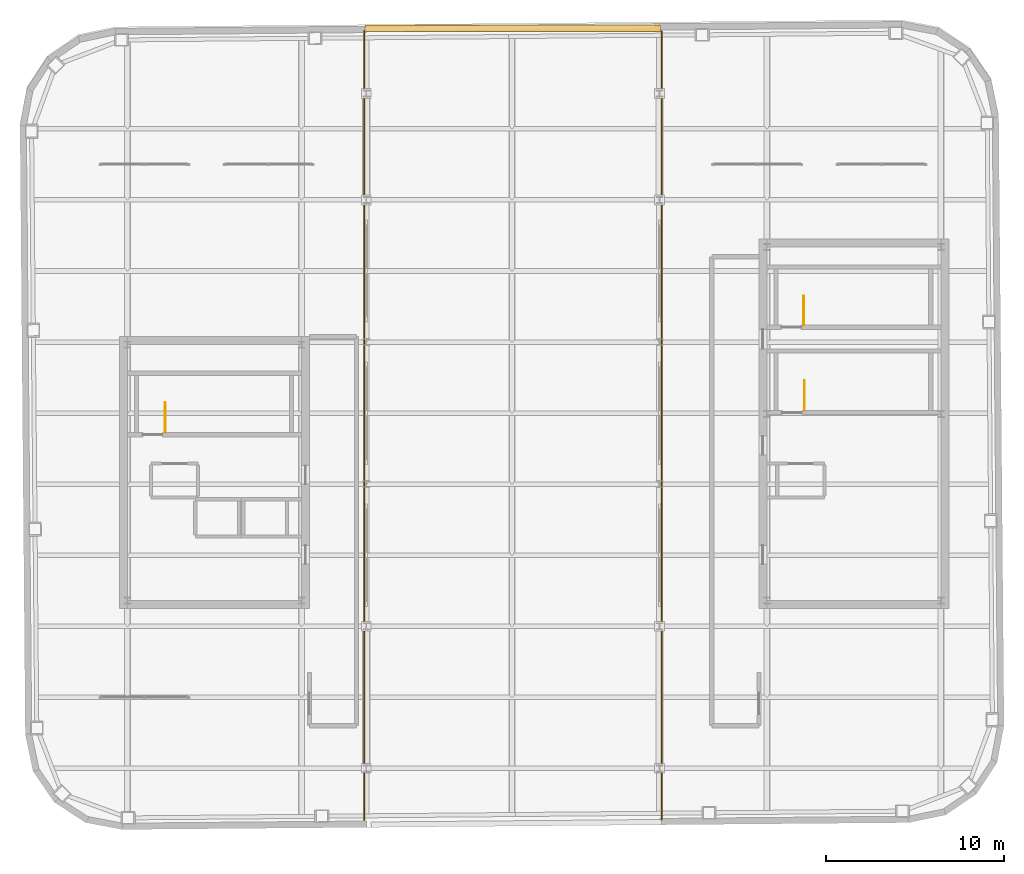
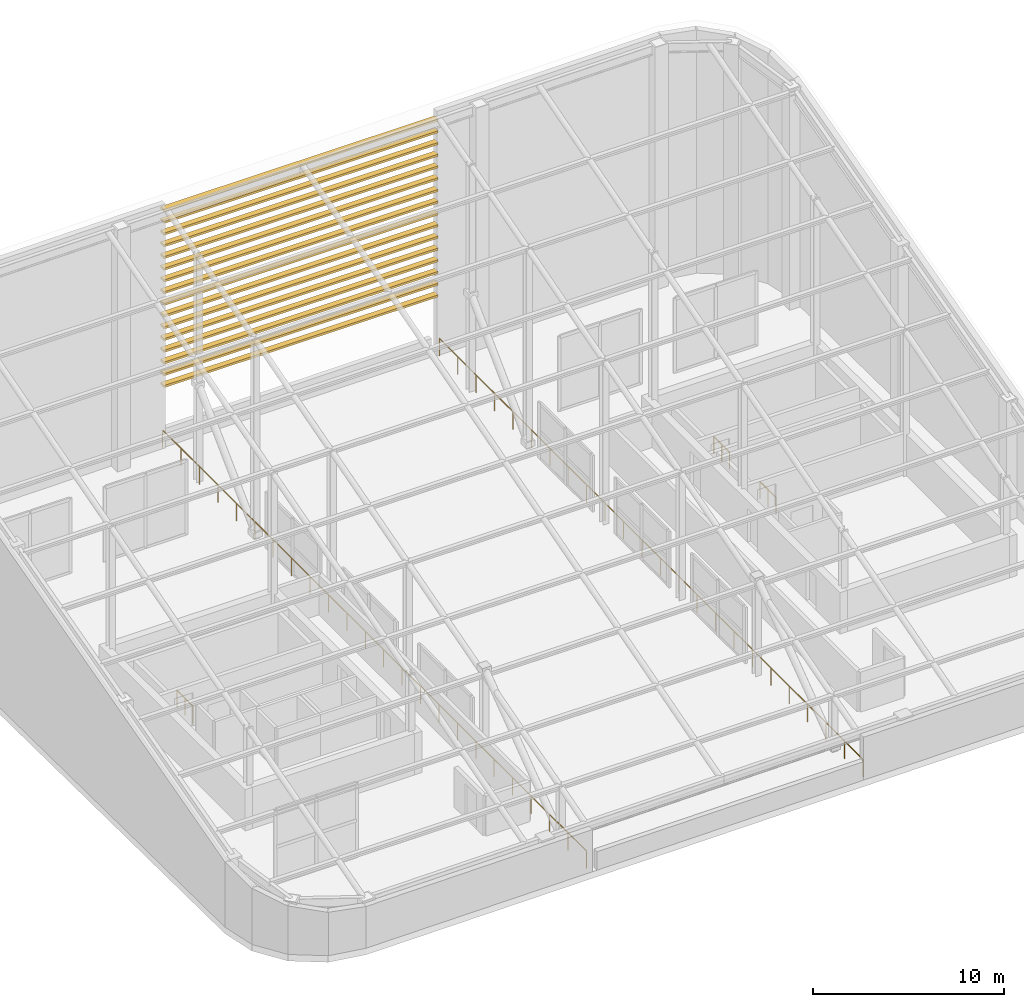
# One storey, part 17 of 17: 16 shading devices, 5 railings.
"""IFC4 building model written with IfcOpenShell, lengths in metres."""

from ifc_helpers import new_model, si_unit, direction, frame, origin, origin_2d, place, context, subcontext, project, spatial, rectangle, circle, extrude, material, type_object, element, save


model = new_model("IFC4")

# Units and contexts
model_context = context("Model", 3, precision=1e-05, world=origin(), true_north=direction((0.0, 1.0)))
body_context = subcontext(model_context, "Body", "Model", "MODEL_VIEW")
ifc_project = project(units=[si_unit("LENGTHUNIT", "METRE"), si_unit("AREAUNIT", "SQUARE_METRE"), si_unit("VOLUMEUNIT", "CUBIC_METRE"), si_unit("PLANEANGLEUNIT", "RADIAN"), si_unit("MASSUNIT", "GRAM", prefix="KILO")], contexts=[model_context])

# Site, building, storey
site_placement = place(None, origin())
site = spatial("IfcSite", under=ifc_project, at=site_placement, CompositionType="ELEMENT")
building_placement = place(site_placement, origin())
building = spatial("IfcBuilding", under=site, at=building_placement, Name="Kolvaren Arena Tower", CompositionType="ELEMENT")
storey_placement = place(building_placement, frame((0.0, 0.0, 322.0)))
storey = spatial("IfcBuildingStorey", under=building, at=storey_placement, Name="Roof Crown", CompositionType="ELEMENT", Elevation=322.0)

# Railings
ifc_material_1 = material(Name="Painted galvanized steel", Category="steel")
railing_type_1 = type_object("IfcRailingType", Name="GUARD-ST-110", PredefinedType="GUARDRAIL", material=ifc_material_1)
for number, where, name in (
    (1, (16.669921875, 28.89990234375, 0.0), "Roof Crown ST-W1 top well guard 1"),
    (2, (52.669921875, 30.14990234375, 0.0), "Roof Crown ST-E1 top well guard 1"),
):
    element("IfcRailing", number, at=place(storey_placement, frame(where)), inside=storey, type_object=railing_type_1, Name=name, PredefinedType="GUARDRAIL", context=body_context, shape_type="SweptSolid", body=[
        extrude(circle(Radius=0.02392578125, at=origin_2d()), frame((0.0, 0.0, 1.076171875), z_axis=(0.0, 1.0, 0.0), x_axis=(-1.0, 0.0, 0.0)), (0.0, 0.0, 1.0), 1.690185546875),
        extrude(circle(Radius=0.02099609375, at=origin_2d()), origin(), (0.0, 0.0, 1.0), 1.052001953125),
        extrude(circle(Radius=0.02099609375, at=origin_2d()), frame((0.0, 0.84521484375, 0.0)), (0.0, 0.0, 1.0), 1.052001953125),
        extrude(circle(Radius=0.02099609375, at=origin_2d()), frame((0.0, 1.690185546875, 0.0)), (0.0, 0.0, 1.0), 1.052001953125),
    ])
railing_1_placement = place(storey_placement, frame((52.6298828125, 34.949951171875, 0.0)))
element("IfcRailing", 3, at=railing_1_placement, inside=storey, type_object=railing_type_1, Name="Roof Crown ST-E2 top well guard 1", PredefinedType="GUARDRAIL", context=body_context, shape_type="SweptSolid", body=[
    extrude(circle(Radius=0.02392578125, at=origin_2d()), frame((0.0, 0.0, 1.076171875), z_axis=(0.0, 1.0, 0.0), x_axis=(-1.0, 0.0, 0.0)), (0.0, 0.0, 1.0), 1.650146484375),
    extrude(circle(Radius=0.02099609375, at=origin_2d()), origin(), (0.0, 0.0, 1.0), 1.052001953125),
    extrude(circle(Radius=0.02099609375, at=origin_2d()), frame((0.0, 0.8251953125, 0.0)), (0.0, 0.0, 1.0), 1.052001953125),
    extrude(circle(Radius=0.02099609375, at=origin_2d()), frame((0.0, 1.650146484375, 0.0)), (0.0, 0.0, 1.0), 1.052001953125),
])
ifc_material_2 = material(Name="Stainless steel and laminated glass guard", Category="steel")
railing_type_2 = type_object("IfcRailingType", Name="GUARD-TER-115", PredefinedType="BALUSTRADE", material=ifc_material_2)
railing_2_placement = place(storey_placement, frame((27.8798828125, 7.10009765625, 0.0)))
element("IfcRailing", 4, at=railing_2_placement, inside=storey, type_object=railing_type_2, Name="Crown Wind-Portal Perimeter Guardrail (W)", PredefinedType="BALUSTRADE", context=body_context, shape_type="SweptSolid", body=[
    extrude(circle(Radius=0.030029296875, at=origin_2d()), frame((0.0, 0.0, 1.119873046875), z_axis=(0.0, 1.0, 0.0), x_axis=(-1.0, 0.0, 0.0)), (0.0, 0.0, 1.0), 44.39990234375),
    extrude(circle(Radius=0.02490234375, at=origin_2d()), origin(), (0.0, 0.0, 1.0), 1.08984375),
    extrude(circle(Radius=0.02490234375, at=origin_2d()), frame((0.0, 1.930419921875, 0.0)), (0.0, 0.0, 1.0), 1.08984375),
    extrude(circle(Radius=0.02490234375, at=origin_2d()), frame((0.0, 3.86083984375, 0.0)), (0.0, 0.0, 1.0), 1.08984375),
    extrude(circle(Radius=0.02490234375, at=origin_2d()), frame((0.0, 5.791259765625, 0.0)), (0.0, 0.0, 1.0), 1.08984375),
    extrude(circle(Radius=0.02490234375, at=origin_2d()), frame((0.0, 7.7216796875, 0.0)), (0.0, 0.0, 1.0), 1.08984375),
    extrude(circle(Radius=0.02490234375, at=origin_2d()), frame((0.0, 9.652099609375, 0.0)), (0.0, 0.0, 1.0), 1.08984375),
    extrude(circle(Radius=0.02490234375, at=origin_2d()), frame((0.0, 11.58251953125, 0.0)), (0.0, 0.0, 1.0), 1.08984375),
    extrude(circle(Radius=0.02490234375, at=origin_2d()), frame((0.0, 13.512939453125, 0.0)), (0.0, 0.0, 1.0), 1.08984375),
    extrude(circle(Radius=0.02490234375, at=origin_2d()), frame((0.0, 15.443359375, 0.0)), (0.0, 0.0, 1.0), 1.08984375),
    extrude(circle(Radius=0.02490234375, at=origin_2d()), frame((0.0, 17.373779296875, 0.0)), (0.0, 0.0, 1.0), 1.08984375),
    extrude(circle(Radius=0.02490234375, at=origin_2d()), frame((0.0, 19.30419921875, 0.0)), (0.0, 0.0, 1.0), 1.08984375),
    extrude(circle(Radius=0.02490234375, at=origin_2d()), frame((0.0, 21.234619140625, 0.0)), (0.0, 0.0, 1.0), 1.08984375),
    extrude(circle(Radius=0.02490234375, at=origin_2d()), frame((0.0, 23.165283203125, 0.0)), (0.0, 0.0, 1.0), 1.08984375),
    extrude(circle(Radius=0.02490234375, at=origin_2d()), frame((0.0, 25.095703125, 0.0)), (0.0, 0.0, 1.0), 1.08984375),
    extrude(circle(Radius=0.02490234375, at=origin_2d()), frame((0.0, 27.026123046875, 0.0)), (0.0, 0.0, 1.0), 1.08984375),
    extrude(circle(Radius=0.02490234375, at=origin_2d()), frame((0.0, 28.95654296875, 0.0)), (0.0, 0.0, 1.0), 1.08984375),
    extrude(circle(Radius=0.02490234375, at=origin_2d()), frame((0.0, 30.886962890625, 0.0)), (0.0, 0.0, 1.0), 1.08984375),
    extrude(circle(Radius=0.02490234375, at=origin_2d()), frame((0.0, 32.8173828125, 0.0)), (0.0, 0.0, 1.0), 1.08984375),
    extrude(circle(Radius=0.02490234375, at=origin_2d()), frame((0.0, 34.747802734375, 0.0)), (0.0, 0.0, 1.0), 1.08984375),
    extrude(circle(Radius=0.02490234375, at=origin_2d()), frame((0.0, 36.67822265625, 0.0)), (0.0, 0.0, 1.0), 1.08984375),
    extrude(circle(Radius=0.02490234375, at=origin_2d()), frame((0.0, 38.608642578125, 0.0)), (0.0, 0.0, 1.0), 1.08984375),
    extrude(circle(Radius=0.02490234375, at=origin_2d()), frame((0.0, 40.5390625, 0.0)), (0.0, 0.0, 1.0), 1.08984375),
    extrude(circle(Radius=0.02490234375, at=origin_2d()), frame((0.0, 42.469482421875, 0.0)), (0.0, 0.0, 1.0), 1.08984375),
    extrude(circle(Radius=0.02490234375, at=origin_2d()), frame((0.0, 44.39990234375, 0.0)), (0.0, 0.0, 1.0), 1.08984375),
])
railing_3_placement = place(storey_placement, frame((44.6201171875, 7.10009765625, 0.0)))
element("IfcRailing", 5, at=railing_3_placement, inside=storey, type_object=railing_type_2, Name="Crown Wind-Portal Perimeter Guardrail (E)", PredefinedType="BALUSTRADE", context=body_context, shape_type="SweptSolid", body=[
    extrude(circle(Radius=0.030029296875, at=origin_2d()), frame((0.0, 0.0, 1.119873046875), z_axis=(0.0, 1.0, 0.0), x_axis=(-1.0, 0.0, 0.0)), (0.0, 0.0, 1.0), 44.39990234375),
    extrude(circle(Radius=0.02490234375, at=origin_2d()), origin(), (0.0, 0.0, 1.0), 1.08984375),
    extrude(circle(Radius=0.02490234375, at=origin_2d()), frame((0.0, 1.930419921875, 0.0)), (0.0, 0.0, 1.0), 1.08984375),
    extrude(circle(Radius=0.02490234375, at=origin_2d()), frame((0.0, 3.86083984375, 0.0)), (0.0, 0.0, 1.0), 1.08984375),
    extrude(circle(Radius=0.02490234375, at=origin_2d()), frame((0.0, 5.791259765625, 0.0)), (0.0, 0.0, 1.0), 1.08984375),
    extrude(circle(Radius=0.02490234375, at=origin_2d()), frame((0.0, 7.7216796875, 0.0)), (0.0, 0.0, 1.0), 1.08984375),
    extrude(circle(Radius=0.02490234375, at=origin_2d()), frame((0.0, 9.652099609375, 0.0)), (0.0, 0.0, 1.0), 1.08984375),
    extrude(circle(Radius=0.02490234375, at=origin_2d()), frame((0.0, 11.58251953125, 0.0)), (0.0, 0.0, 1.0), 1.08984375),
    extrude(circle(Radius=0.02490234375, at=origin_2d()), frame((0.0, 13.512939453125, 0.0)), (0.0, 0.0, 1.0), 1.08984375),
    extrude(circle(Radius=0.02490234375, at=origin_2d()), frame((0.0, 15.443359375, 0.0)), (0.0, 0.0, 1.0), 1.08984375),
    extrude(circle(Radius=0.02490234375, at=origin_2d()), frame((0.0, 17.373779296875, 0.0)), (0.0, 0.0, 1.0), 1.08984375),
    extrude(circle(Radius=0.02490234375, at=origin_2d()), frame((0.0, 19.30419921875, 0.0)), (0.0, 0.0, 1.0), 1.08984375),
    extrude(circle(Radius=0.02490234375, at=origin_2d()), frame((0.0, 21.234619140625, 0.0)), (0.0, 0.0, 1.0), 1.08984375),
    extrude(circle(Radius=0.02490234375, at=origin_2d()), frame((0.0, 23.165283203125, 0.0)), (0.0, 0.0, 1.0), 1.08984375),
    extrude(circle(Radius=0.02490234375, at=origin_2d()), frame((0.0, 25.095703125, 0.0)), (0.0, 0.0, 1.0), 1.08984375),
    extrude(circle(Radius=0.02490234375, at=origin_2d()), frame((0.0, 27.026123046875, 0.0)), (0.0, 0.0, 1.0), 1.08984375),
    extrude(circle(Radius=0.02490234375, at=origin_2d()), frame((0.0, 28.95654296875, 0.0)), (0.0, 0.0, 1.0), 1.08984375),
    extrude(circle(Radius=0.02490234375, at=origin_2d()), frame((0.0, 30.886962890625, 0.0)), (0.0, 0.0, 1.0), 1.08984375),
    extrude(circle(Radius=0.02490234375, at=origin_2d()), frame((0.0, 32.8173828125, 0.0)), (0.0, 0.0, 1.0), 1.08984375),
    extrude(circle(Radius=0.02490234375, at=origin_2d()), frame((0.0, 34.747802734375, 0.0)), (0.0, 0.0, 1.0), 1.08984375),
    extrude(circle(Radius=0.02490234375, at=origin_2d()), frame((0.0, 36.67822265625, 0.0)), (0.0, 0.0, 1.0), 1.08984375),
    extrude(circle(Radius=0.02490234375, at=origin_2d()), frame((0.0, 38.608642578125, 0.0)), (0.0, 0.0, 1.0), 1.08984375),
    extrude(circle(Radius=0.02490234375, at=origin_2d()), frame((0.0, 40.5390625, 0.0)), (0.0, 0.0, 1.0), 1.08984375),
    extrude(circle(Radius=0.02490234375, at=origin_2d()), frame((0.0, 42.469482421875, 0.0)), (0.0, 0.0, 1.0), 1.08984375),
    extrude(circle(Radius=0.02490234375, at=origin_2d()), frame((0.0, 44.39990234375, 0.0)), (0.0, 0.0, 1.0), 1.08984375),
])

# Shading devices
ifc_material_3 = material(Name="Architectural precast GFRC and anodised aluminium sunshade", Category="concrete")
shading_device_type = type_object("IfcShadingDeviceType", Name="SHAD-SINE-A", PredefinedType="USERDEFINED", material=ifc_material_3)
for number, where, z_axis, x_axis, name in (
    (6, (36.25, 51.669189453125, 3.80029296875), (0.0, 0.0, 1.0), (1.0, 0.0, 0.0), "Wind-Portal Upper Aerodynamic Louvre Screen"),
    (7, (36.25, 51.669189453125, 4.55029296875), (0.0, 0.0, 1.0), (1.0, 0.0, 0.0), "Wind-Portal Upper Aerodynamic Louvre Screen"),
    (8, (36.25, 51.669189453125, 5.30029296875), (0.0, 0.0, 1.0), (1.0, 0.0, 0.0), "Wind-Portal Upper Aerodynamic Louvre Screen"),
    (9, (36.25, 51.669189453125, 6.05029296875), (0.0, 0.0, 1.0), (1.0, 0.0, 0.0), "Wind-Portal Upper Aerodynamic Louvre Screen"),
    (10, (36.25, 51.669189453125, 6.80029296875), (0.0, 0.0, 1.0), (1.0, 0.0, 0.0), "Wind-Portal Upper Aerodynamic Louvre Screen"),
    (11, (36.25, 51.669189453125, 7.55029296875), (0.0, 0.0, 1.0), (1.0, 0.0, 0.0), "Wind-Portal Upper Aerodynamic Louvre Screen"),
    (12, (36.25, 51.669189453125, 8.30029296875), (0.0, 0.0, 1.0), (1.0, 0.0, 0.0), "Wind-Portal Upper Aerodynamic Louvre Screen"),
    (13, (36.25, 51.669189453125, 9.05029296875), (0.0, 0.0, 1.0), (1.0, 0.0, 0.0), "Wind-Portal Upper Aerodynamic Louvre Screen"),
    (14, (36.25, 51.669189453125, 9.80029296875), (0.0, 0.0, 1.0), (1.0, 0.0, 0.0), "Wind-Portal Upper Aerodynamic Louvre Screen"),
    (15, (36.25, 51.669189453125, 10.55029296875), (0.0, 0.0, 1.0), (1.0, 0.0, 0.0), "Wind-Portal Upper Aerodynamic Louvre Screen"),
    (16, (36.25, 51.669189453125, 11.30029296875), (0.0, 0.0, 1.0), (1.0, 0.0, 0.0), "Wind-Portal Upper Aerodynamic Louvre Screen"),
    (17, (36.25, 51.669189453125, 12.05029296875), (0.0, 0.0, 1.0), (1.0, 0.0, 0.0), "Wind-Portal Upper Aerodynamic Louvre Screen"),
    (18, (36.25, 51.669189453125, 12.80029296875), (0.0, 0.0, 1.0), (1.0, 0.0, 0.0), "Wind-Portal Upper Aerodynamic Louvre Screen"),
    (19, (36.25, 51.669189453125, 13.55029296875), (0.0, 0.0, 1.0), (1.0, 0.0, 0.0), "Wind-Portal Upper Aerodynamic Louvre Screen"),
    (20, (36.25, 51.669189453125, 14.30029296875), (0.0, 0.0, 1.0), (1.0, 0.0, 0.0), "Wind-Portal Upper Aerodynamic Louvre Screen"),
    (21, (36.25, 51.669189453125, 15.05029296875), (0.0, 0.0, 1.0), (1.0, 0.0, 0.0), "Wind-Portal Upper Aerodynamic Louvre Screen"),
):
    element("IfcShadingDevice", number, at=place(storey_placement, frame(where, z_axis=z_axis, x_axis=x_axis)), inside=storey, type_object=shading_device_type, Name=name, ObjectType="LOUVRE", PredefinedType="USERDEFINED", context=body_context, shape_type="SweptSolid", body=[
        extrude(rectangle(XDim=16.60009765625, YDim=0.35009765625, at=origin_2d()), origin(), (0.0, 0.0, 1.0), 0.139892578125),
    ])

save(model, "model.ifc")
